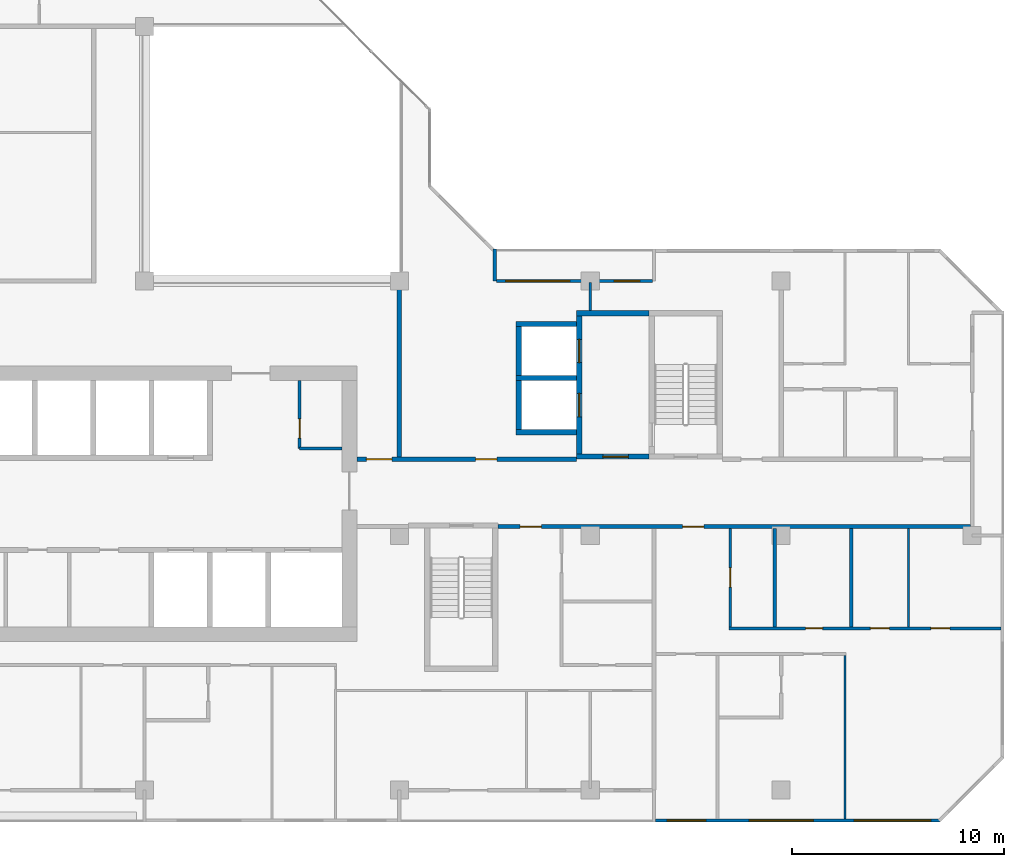
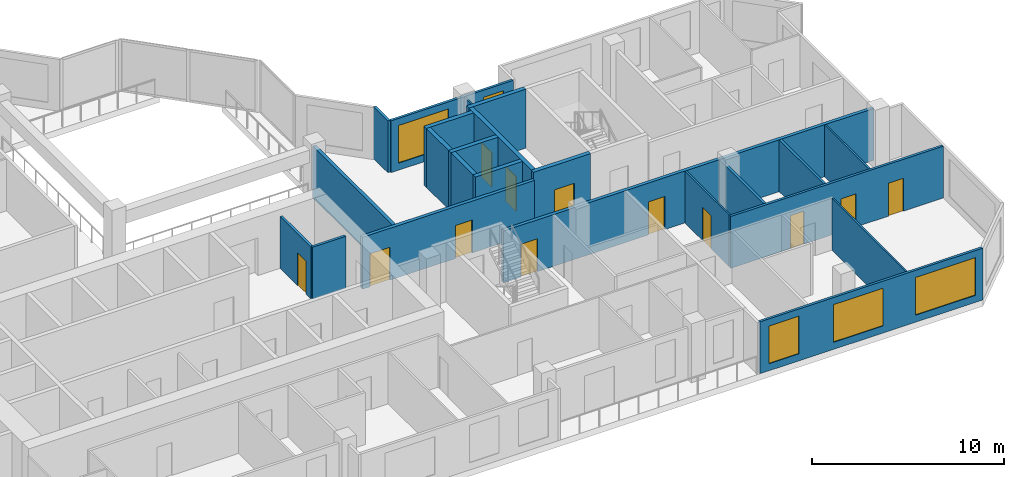
# One storey, part 7 of 15: 23 walls, 12 doors, 5 windows, 17 openings.
"""IFC4 building model written with IfcOpenShell, lengths in metres."""

from ifc_helpers import new_model, si_unit, direction, frame, frame_2d, origin, place, context, subcontext, project, spatial, rectangle, extrude, material, layer, layer_set, type_object, element, fill, save


model = new_model("IFC4")

# Units and contexts
model_context = context("Model", 3, precision=1e-05, world=origin(), true_north=direction((0.0, 1.0)))
body_context = subcontext(model_context, "Body", "Model", "MODEL_VIEW")
ifc_project = project(units=[si_unit("LENGTHUNIT", "METRE"), si_unit("AREAUNIT", "SQUARE_METRE"), si_unit("VOLUMEUNIT", "CUBIC_METRE"), si_unit("PLANEANGLEUNIT", "RADIAN"), si_unit("MASSUNIT", "GRAM", prefix="KILO")], contexts=[model_context])

# Site, building, storey
site_placement = place(None, origin())
site = spatial("IfcSite", under=ifc_project, at=site_placement, CompositionType="ELEMENT")
building_placement = place(site_placement, origin())
building = spatial("IfcBuilding", under=site, at=building_placement, Name="Chenar Terraces", CompositionType="ELEMENT")
storey_placement = place(building_placement, frame((0.0, 0.0, 252.89990234375)))
storey = spatial("IfcBuildingStorey", under=building, at=storey_placement, Name="L60", CompositionType="ELEMENT", Elevation=252.89990234375)

# Wall, opening, door
ifc_material_1 = material(Name="Gypsum board on steel studs", Category="steel")
ifc_layer_1 = layer(ifc_material_1, 0.14990234375)
ifc_layer_set_1 = layer_set([ifc_layer_1], Name="Gypsum board on steel studs")
wall_type_1 = type_object("IfcWallType", Name="Core partition 150 gypsum board", PredefinedType="PARTITIONING", material=ifc_layer_set_1)
wall_1_placement = place(storey_placement, frame((31.300048828125, 16.10009765625, 0.0), z_axis=(0.0, 0.0, 1.0), x_axis=(0.0, 1.0, 0.0)))
wall_1 = element("IfcWall", 1, at=wall_1_placement, inside=storey, type_object=wall_type_1, Name="Core partition CP1 vestibule room west wall", PredefinedType="PARTITIONING", context=body_context, shape_type="SweptSolid", body=[
    extrude(rectangle(XDim=3.199951171875, YDim=0.14990234375, at=frame_2d((1.60009765625, 0.0))), origin(), (0.0, 0.0, 1.0), 3.300048828125),
])
opening_1_placement = place(wall_1_placement, frame((0.5, 0.0, 0.0)))
opening_1 = element("IfcOpeningElement", 2, at=opening_1_placement, cuts=wall_1, Name="Opening DL60-C15", PredefinedType="OPENING", context=body_context, shape_type="SweptSolid", body=[
    extrude(rectangle(XDim=0.89990234375, YDim=2.10009765625, at=frame_2d((0.449951171875, 1.050048828125))), frame((0.0, 0.0849609375, 0.0), z_axis=(0.0, -1.0, 0.0), x_axis=(1.0, 0.0, 0.0)), (0.0, 0.0, 1.0), 0.169921875),
])
ifc_material_2 = material(Name="Steel-framed fire-resisting door leaf", Category="steel")
door_type_1 = type_object("IfcDoorType", Name="Riser fire door FD60 900 x 2100", OperationType="SINGLE_SWING_LEFT", PredefinedType="DOOR", material=ifc_material_2)
door_1_placement = place(opening_1_placement, frame((0.89990234375, 0.0, 0.0), z_axis=(0.0, 0.0, 1.0), x_axis=(-1.0, 0.0, 0.0)))
door_1 = element("IfcDoor", 3, at=door_1_placement, inside=storey, type_object=door_type_1, Name="Core room door DL60-C15", OperationType="SINGLE_SWING_RIGHT", OverallHeight=2.10009765625, OverallWidth=0.89990234375, PredefinedType="DOOR", context=body_context, shape_type="SweptSolid", body=[
    extrude(rectangle(XDim=0.89990234375, YDim=2.10009765625, at=frame_2d((0.449951171875, 1.050048828125))), frame((0.0, 0.02490234375, 0.0), z_axis=(0.0, -1.0, 0.0), x_axis=(1.0, 0.0, 0.0)), (0.0, 0.0, 1.0), 0.050048828125),
])
fill(opening_1, door_1)

# Wall
wall_2_placement = place(storey_placement, frame((31.300048828125, 16.10009765625, 0.0), z_axis=(0.0, 0.0, 1.0), x_axis=(1.0, 0.0, 0.0)))
element("IfcWall", 4, at=wall_2_placement, inside=storey, type_object=wall_type_1, Name="Core partition CP1 vestibule room south wall", PredefinedType="PARTITIONING", context=body_context, shape_type="SweptSolid", body=[
    extrude(rectangle(XDim=2.0, YDim=0.14990234375, at=frame_2d((1.0, 0.0))), origin(), (0.0, 0.0, 1.0), 3.300048828125),
])

# Wall, opening, door
ifc_material_3 = material(Name="Concrete C60/75", Category="concrete")
ifc_layer_2 = layer(ifc_material_3, 0.25)
ifc_layer_set_2 = layer_set([ifc_layer_2], Name="Concrete C60/75")
wall_type_2 = type_object("IfcWallType", Name="Core wall 250 Concrete C60/75", PredefinedType="SHEAR", material=ifc_layer_set_2)
wall_3_placement = place(storey_placement, frame((44.35009765625, 15.72509765625, 0.0), z_axis=(0.0, 0.0, 1.0), x_axis=(1.0, 0.0, 0.0)))
wall_3 = element("IfcWall", 5, at=wall_3_placement, inside=storey, type_object=wall_type_2, Name="Core wall F3_LS L60", PredefinedType="SHEAR", context=body_context, shape_type="SweptSolid", body=[
    extrude(rectangle(XDim=3.4248046875, YDim=0.25, at=frame_2d((1.71240234375, 0.0))), origin(), (0.0, 0.0, 1.0), 3.75),
])
opening_2_placement = place(wall_3_placement, frame((1.25, 0.0, 0.0)))
opening_2 = element("IfcOpeningElement", 6, at=opening_2_placement, cuts=wall_3, Name="Opening DL60-C10", PredefinedType="OPENING", context=body_context, shape_type="SweptSolid", body=[
    extrude(rectangle(XDim=1.199951171875, YDim=2.199951171875, at=frame_2d((0.60009765625, 1.10009765625))), frame((0.0, 0.135009765625, 0.0), z_axis=(0.0, -1.0, 0.0), x_axis=(1.0, 0.0, 0.0)), (0.0, 0.0, 1.0), 0.27001953125),
])
ifc_material_4 = material(Name="Steel-framed fire-resisting door leaf", Category="steel")
door_type_2 = type_object("IfcDoorType", Name="Lobby fire door FD60 1200 x 2200", OperationType="SINGLE_SWING_LEFT", PredefinedType="DOOR", material=ifc_material_4)
door_2_placement = place(opening_2_placement, origin())
door_2 = element("IfcDoor", 7, at=door_2_placement, inside=storey, type_object=door_type_2, Name="Core door DL60-C10", OperationType="SINGLE_SWING_RIGHT", OverallHeight=2.199951171875, OverallWidth=1.199951171875, PredefinedType="DOOR", context=body_context, shape_type="SweptSolid", body=[
    extrude(rectangle(XDim=1.199951171875, YDim=2.199951171875, at=frame_2d((0.60009765625, 1.10009765625))), frame((0.0, 0.02490234375, 0.0), z_axis=(0.0, -1.0, 0.0), x_axis=(1.0, 0.0, 0.0)), (0.0, 0.0, 1.0), 0.050048828125),
])
fill(opening_2, door_2)

# Wall
wall_4_placement = place(storey_placement, frame((44.35009765625, 22.47509765625, 0.0), z_axis=(0.0, 0.0, 1.0), x_axis=(1.0, 0.0, 0.0)))
element("IfcWall", 8, at=wall_4_placement, inside=storey, type_object=wall_type_2, Name="Core wall F3_LN L60", PredefinedType="SHEAR", context=body_context, shape_type="SweptSolid", body=[
    extrude(rectangle(XDim=3.4248046875, YDim=0.25, at=frame_2d((1.71240234375, 0.0))), origin(), (0.0, 0.0, 1.0), 3.75),
])

# Wall, openings, doors
wall_5_placement = place(storey_placement, frame((44.47509765625, 15.85009765625, 0.0), z_axis=(0.0, 0.0, 1.0), x_axis=(0.0, 1.0, 0.0)))
wall_5 = element("IfcWall", 9, at=wall_5_placement, inside=storey, type_object=wall_type_2, Name="Core wall F3_LW L60", PredefinedType="SHEAR", context=body_context, shape_type="SweptSolid", body=[
    extrude(rectangle(XDim=6.5, YDim=0.25, at=frame_2d((3.25, 0.0))), origin(), (0.0, 0.0, 1.0), 3.75),
])
opening_3_placement = place(wall_5_placement, frame((1.75, 0.0, 0.0)))
opening_3 = element("IfcOpeningElement", 10, at=opening_3_placement, cuts=wall_5, Name="Opening DL60-LD8", PredefinedType="OPENING", context=body_context, shape_type="SweptSolid", body=[
    extrude(rectangle(XDim=1.10009765625, YDim=2.199951171875, at=frame_2d((0.550048828125, 1.10009765625))), frame((0.0, 0.135009765625, 0.0), z_axis=(0.0, -1.0, 0.0), x_axis=(1.0, 0.0, 0.0)), (0.0, 0.0, 1.0), 0.27001953125),
])
opening_4_placement = place(wall_5_placement, frame((4.300048828125, 0.0, 0.0)))
opening_4 = element("IfcOpeningElement", 11, at=opening_4_placement, cuts=wall_5, Name="Opening DL60-LD9", PredefinedType="OPENING", context=body_context, shape_type="SweptSolid", body=[
    extrude(rectangle(XDim=1.10009765625, YDim=2.199951171875, at=frame_2d((0.550048828125, 1.10009765625))), frame((0.0, 0.135009765625, 0.0), z_axis=(0.0, -1.0, 0.0), x_axis=(1.0, 0.0, 0.0)), (0.0, 0.0, 1.0), 0.27001953125),
])
ifc_material_5 = material(Name="Stainless steel", Category="steel")
door_type_3 = type_object("IfcDoorType", Name="Lift landing door 1100 x 2200 sliding", OperationType="DOUBLE_DOOR_SLIDING", PredefinedType="DOOR", material=ifc_material_5)
door_3_placement = place(opening_3_placement, origin())
door_3 = element("IfcDoor", 12, at=door_3_placement, inside=storey, type_object=door_type_3, Name="Landing door F3", OperationType="DOUBLE_DOOR_SLIDING", OverallHeight=2.199951171875, OverallWidth=1.10009765625, PredefinedType="DOOR", context=body_context, shape_type="SweptSolid", body=[
    extrude(rectangle(XDim=1.10009765625, YDim=2.199951171875, at=frame_2d((0.550048828125, 1.10009765625))), frame((0.0, 0.02490234375, 0.0), z_axis=(0.0, -1.0, 0.0), x_axis=(1.0, 0.0, 0.0)), (0.0, 0.0, 1.0), 0.050048828125),
])
fill(opening_3, door_3)
door_4_placement = place(opening_4_placement, origin())
door_4 = element("IfcDoor", 13, at=door_4_placement, inside=storey, type_object=door_type_3, Name="Landing door F4", OperationType="DOUBLE_DOOR_SLIDING", OverallHeight=2.199951171875, OverallWidth=1.10009765625, PredefinedType="DOOR", context=body_context, shape_type="SweptSolid", body=[
    extrude(rectangle(XDim=1.10009765625, YDim=2.199951171875, at=frame_2d((0.550048828125, 1.10009765625))), frame((0.0, 0.02490234375, 0.0), z_axis=(0.0, -1.0, 0.0), x_axis=(1.0, 0.0, 0.0)), (0.0, 0.0, 1.0), 0.050048828125),
])
fill(opening_4, door_4)

# Walls
for number, where, z_axis, x_axis, name in (
    (14, (41.5, 16.875, 0.0), (0.0, 0.0, 1.0), (1.0, 0.0, 0.0), "Core wall F3_SS L60"),
    (15, (41.5, 19.425048828125, 0.0), (0.0, 0.0, 1.0), (1.0, 0.0, 0.0), "Core wall F3_SM L60"),
    (16, (41.5, 21.97509765625, 0.0), (0.0, 0.0, 1.0), (1.0, 0.0, 0.0), "Core wall F4_SN L60"),
):
    element("IfcWall", number, at=place(storey_placement, frame(where, z_axis=z_axis, x_axis=x_axis)), inside=storey, type_object=wall_type_2, Name=name, PredefinedType="SHEAR", context=body_context, shape_type="SweptSolid", body=[
        extrude(rectangle(XDim=2.85009765625, YDim=0.25, at=frame_2d((1.425048828125, 0.0))), origin(), (0.0, 0.0, 1.0), 3.75),
    ])
for number, where, z_axis, x_axis, name in (
    (17, (41.625, 17.0, 0.0), (0.0, 0.0, 1.0), (0.0, 1.0, 0.0), "Core wall F3_SW L60"),
    (18, (41.625, 19.550048828125, 0.0), (0.0, 0.0, 1.0), (0.0, 1.0, 0.0), "Core wall F4_SW L60"),
):
    element("IfcWall", number, at=place(storey_placement, frame(where, z_axis=z_axis, x_axis=x_axis)), inside=storey, type_object=wall_type_2, Name=name, PredefinedType="SHEAR", context=body_context, shape_type="SweptSolid", body=[
        extrude(rectangle(XDim=2.300048828125, YDim=0.25, at=frame_2d((1.14990234375, 0.0))), origin(), (0.0, 0.0, 1.0), 3.75),
    ])

# Wall, openings, doors
ifc_material_6 = material(Name="Gypsum board on steel studs with fire boards", Category="steel")
ifc_layer_3 = layer(ifc_material_6, 0.199951171875)
ifc_layer_set_3 = layer_set([ifc_layer_3], Name="Gypsum board on steel studs with fire boards")
wall_type_3 = type_object("IfcWallType", Name="Corridor wall 200", PredefinedType="PARTITIONING", material=ifc_layer_set_3)
wall_6_placement = place(storey_placement, frame((34.0, 15.60009765625, 0.0), z_axis=(0.0, 0.0, 1.0), x_axis=(1.0, 0.0, 0.0)))
wall_6 = element("IfcWall", 19, at=wall_6_placement, inside=storey, type_object=wall_type_3, Name="Partition L60-065", PredefinedType="PARTITIONING", context=body_context, shape_type="SweptSolid", body=[
    extrude(rectangle(XDim=10.35009765625, YDim=0.199951171875, at=frame_2d((5.175048828125, 0.0))), origin(), (0.0, 0.0, 1.0), 3.300048828125),
])
opening_5_placement = place(wall_6_placement, frame((5.60009765625, 0.0, 0.0)))
opening_5 = element("IfcOpeningElement", 20, at=opening_5_placement, cuts=wall_6, Name="Opening DL60-3", PredefinedType="OPENING", context=body_context, shape_type="SweptSolid", body=[
    extrude(rectangle(XDim=1.0, YDim=2.10009765625, at=frame_2d((0.5, 1.050048828125))), frame((0.0, 0.10986328125, 0.0), z_axis=(0.0, -1.0, 0.0), x_axis=(1.0, 0.0, 0.0)), (0.0, 0.0, 1.0), 0.219970703125),
])
opening_6_placement = place(wall_6_placement, frame((0.449951171875, 0.0, 0.0)))
opening_6 = element("IfcOpeningElement", 21, at=opening_6_placement, cuts=wall_6, Name="Opening DL60-41", PredefinedType="OPENING", context=body_context, shape_type="SweptSolid", body=[
    extrude(rectangle(XDim=1.199951171875, YDim=2.10009765625, at=frame_2d((0.60009765625, 1.050048828125))), frame((0.0, 0.10986328125, 0.0), z_axis=(0.0, -1.0, 0.0), x_axis=(1.0, 0.0, 0.0)), (0.0, 0.0, 1.0), 0.219970703125),
])
ifc_material_7 = material(Name="Steel-framed fire-resisting door leaf", Category="steel")
door_type_4 = type_object("IfcDoorType", Name="Fire door FD60 1000 x 2100", OperationType="SINGLE_SWING_LEFT", PredefinedType="DOOR", material=ifc_material_7)
door_5_placement = place(opening_5_placement, origin())
door_5 = element("IfcDoor", 22, at=door_5_placement, inside=storey, type_object=door_type_4, Name="Door DL60-3", OperationType="SINGLE_SWING_RIGHT", OverallHeight=2.10009765625, OverallWidth=1.0, PredefinedType="DOOR", context=body_context, shape_type="SweptSolid", body=[
    extrude(rectangle(XDim=1.0, YDim=2.10009765625, at=frame_2d((0.5, 1.050048828125))), frame((0.0, 0.02490234375, 0.0), z_axis=(0.0, -1.0, 0.0), x_axis=(1.0, 0.0, 0.0)), (0.0, 0.0, 1.0), 0.050048828125),
])
fill(opening_5, door_5)
ifc_material_8 = material(Name="Steel-framed fire-resisting door leaf", Category="steel")
door_type_5 = type_object("IfcDoorType", Name="Fire door FD60 1200 x 2100", OperationType="SINGLE_SWING_LEFT", PredefinedType="DOOR", material=ifc_material_8)
door_6_placement = place(opening_6_placement, origin())
door_6 = element("IfcDoor", 23, at=door_6_placement, inside=storey, type_object=door_type_5, Name="Door DL60-41", OperationType="SINGLE_SWING_RIGHT", OverallHeight=2.10009765625, OverallWidth=1.199951171875, PredefinedType="DOOR", context=body_context, shape_type="SweptSolid", body=[
    extrude(rectangle(XDim=1.199951171875, YDim=2.10009765625, at=frame_2d((0.60009765625, 1.050048828125))), frame((0.0, 0.02490234375, 0.0), z_axis=(0.0, -1.0, 0.0), x_axis=(1.0, 0.0, 0.0)), (0.0, 0.0, 1.0), 0.050048828125),
])
fill(opening_6, door_6)

# Wall
wall_7_placement = place(storey_placement, frame((36.0, 15.699951171875, 0.0), z_axis=(0.0, 0.0, 1.0), x_axis=(0.0, 1.0, 0.0)))
element("IfcWall", 24, at=wall_7_placement, inside=storey, type_object=wall_type_3, Name="Partition L60-066", PredefinedType="PARTITIONING", context=body_context, shape_type="SweptSolid", body=[
    extrude(rectangle(XDim=8.300048828125, YDim=0.199951171875, at=frame_2d((4.14990234375, 0.0))), origin(), (0.0, 0.0, 1.0), 3.300048828125),
])

# Wall, openings, doors
wall_8_placement = place(storey_placement, frame((40.64990234375, 12.425048828125, 0.0), z_axis=(0.0, 0.0, 1.0), x_axis=(1.0, 0.0, 0.0)))
wall_8 = element("IfcWall", 25, at=wall_8_placement, inside=storey, type_object=wall_type_3, Name="Partition L60-067", PredefinedType="PARTITIONING", context=body_context, shape_type="SweptSolid", body=[
    extrude(rectangle(XDim=22.276123046875, YDim=0.199951171875, at=frame_2d((11.13818359375, 0.0))), origin(), (0.0, 0.0, 1.0), 3.300048828125),
])
opening_7_placement = place(wall_8_placement, frame((8.699951171875, 0.0, 0.0)))
opening_7 = element("IfcOpeningElement", 26, at=opening_7_placement, cuts=wall_8, Name="Opening DL60-14", PredefinedType="OPENING", context=body_context, shape_type="SweptSolid", body=[
    extrude(rectangle(XDim=1.0, YDim=2.10009765625, at=frame_2d((0.5, 1.050048828125))), frame((0.0, 0.10986328125, 0.0), z_axis=(0.0, -1.0, 0.0), x_axis=(1.0, 0.0, 0.0)), (0.0, 0.0, 1.0), 0.219970703125),
])
opening_8_placement = place(wall_8_placement, frame((1.050048828125, 0.0, 0.0)))
opening_8 = element("IfcOpeningElement", 27, at=opening_8_placement, cuts=wall_8, Name="Opening DL60-56", PredefinedType="OPENING", context=body_context, shape_type="SweptSolid", body=[
    extrude(rectangle(XDim=1.0, YDim=2.10009765625, at=frame_2d((0.5, 1.050048828125))), frame((0.0, 0.10986328125, 0.0), z_axis=(0.0, -1.0, 0.0), x_axis=(1.0, 0.0, 0.0)), (0.0, 0.0, 1.0), 0.219970703125),
])
ifc_material_9 = material(Name="Steel-framed fire-resisting door leaf", Category="steel")
door_type_6 = type_object("IfcDoorType", Name="Fire door FD30S 1000 x 2100", OperationType="SINGLE_SWING_LEFT", PredefinedType="DOOR", material=ifc_material_9)
door_7_placement = place(opening_7_placement, frame((1.0, 0.0, 0.0), z_axis=(0.0, 0.0, 1.0), x_axis=(-1.0, 0.0, 0.0)))
door_7 = element("IfcDoor", 28, at=door_7_placement, inside=storey, type_object=door_type_6, Name="Door DL60-14", OperationType="SINGLE_SWING_RIGHT", OverallHeight=2.10009765625, OverallWidth=1.0, PredefinedType="DOOR", context=body_context, shape_type="SweptSolid", body=[
    extrude(rectangle(XDim=1.0, YDim=2.10009765625, at=frame_2d((0.5, 1.050048828125))), frame((0.0, 0.02490234375, 0.0), z_axis=(0.0, -1.0, 0.0), x_axis=(1.0, 0.0, 0.0)), (0.0, 0.0, 1.0), 0.050048828125),
])
fill(opening_7, door_7)
door_8_placement = place(opening_8_placement, origin())
door_8 = element("IfcDoor", 29, at=door_8_placement, inside=storey, type_object=door_type_6, Name="Door DL60-56", OperationType="SINGLE_SWING_LEFT", OverallHeight=2.10009765625, OverallWidth=1.0, PredefinedType="DOOR", context=body_context, shape_type="SweptSolid", body=[
    extrude(rectangle(XDim=1.0, YDim=2.10009765625, at=frame_2d((0.5, 1.050048828125))), frame((0.0, 0.02490234375, 0.0), z_axis=(0.0, -1.0, 0.0), x_axis=(1.0, 0.0, 0.0)), (0.0, 0.0, 1.0), 0.050048828125),
])
fill(opening_8, door_8)

# Wall, openings, windows
ifc_material_10 = material(Name="Aluminium framed glazing", Category="aluminium")
ifc_layer_4 = layer(ifc_material_10, 0.14990234375)
ifc_layer_set_4 = layer_set([ifc_layer_4], Name="Aluminium framed glazing")
wall_type_4 = type_object("IfcWallType", Name="Glazed flush facade wall 150", PredefinedType="SOLIDWALL", material=ifc_layer_set_4)
wall_9_placement = place(storey_placement, frame((48.074951171875, -1.425048828125, 0.0), z_axis=(0.0, 0.0, 1.0), x_axis=(1.0, 0.0, 0.0)))
wall_9 = element("IfcWall", 30, at=wall_9_placement, inside=storey, type_object=wall_type_4, Name="Glazed flush facade wall", PredefinedType="SOLIDWALL", context=body_context, shape_type="SweptSolid", body=[
    extrude(rectangle(XDim=13.425048828125, YDim=0.14990234375, at=frame_2d((6.71240234375, 0.0))), origin(), (0.0, 0.0, 1.0), 3.300048828125),
])
opening_9_placement = place(wall_9_placement, frame((0.5625, 0.0, 0.449951171875)))
opening_9 = element("IfcOpeningElement", 31, at=opening_9_placement, cuts=wall_9, Name="Opening W180x240", PredefinedType="OPENING", context=body_context, shape_type="SweptSolid", body=[
    extrude(rectangle(XDim=1.800048828125, YDim=2.39990234375, at=frame_2d((0.89990234375, 1.199951171875))), frame((0.0, 0.0849609375, 0.0), z_axis=(0.0, -1.0, 0.0), x_axis=(1.0, 0.0, 0.0)), (0.0, 0.0, 1.0), 0.169921875),
])
opening_10_placement = place(wall_9_placement, frame((4.425048828125, 0.0, 0.449951171875)))
opening_10 = element("IfcOpeningElement", 32, at=opening_10_placement, cuts=wall_9, Name="Opening W300x240", PredefinedType="OPENING", context=body_context, shape_type="SweptSolid", body=[
    extrude(rectangle(XDim=3.0, YDim=2.39990234375, at=frame_2d((1.5, 1.199951171875))), frame((0.0, 0.0849609375, 0.0), z_axis=(0.0, -1.0, 0.0), x_axis=(1.0, 0.0, 0.0)), (0.0, 0.0, 1.0), 0.169921875),
])
opening_11_placement = place(wall_9_placement, frame((9.375, 0.0, 0.449951171875)))
opening_11 = element("IfcOpeningElement", 33, at=opening_11_placement, cuts=wall_9, Name="Opening W360x240", PredefinedType="OPENING", context=body_context, shape_type="SweptSolid", body=[
    extrude(rectangle(XDim=3.60009765625, YDim=2.39990234375, at=frame_2d((1.800048828125, 1.199951171875))), frame((0.0, 0.0849609375, 0.0), z_axis=(0.0, -1.0, 0.0), x_axis=(1.0, 0.0, 0.0)), (0.0, 0.0, 1.0), 0.169921875),
])
ifc_material_11 = material(Name="Low emissivity double glazing, aluminium frame", Category="aluminium")
window_type_1 = type_object("IfcWindowType", Name="Fixed light 1800 x 2400", PartitioningType="SINGLE_PANEL", PredefinedType="WINDOW", material=ifc_material_11)
window_1_placement = place(opening_9_placement, origin())
window_1 = element("IfcWindow", 34, at=window_1_placement, inside=storey, type_object=window_type_1, Name="Window", OverallHeight=2.39990234375, OverallWidth=1.800048828125, PartitioningType="SINGLE_PANEL", PredefinedType="WINDOW", context=body_context, shape_type="SweptSolid", body=[
    extrude(rectangle(XDim=1.800048828125, YDim=2.39990234375, at=frame_2d((0.89990234375, 1.199951171875))), frame((0.0, 0.030029296875, 0.0), z_axis=(0.0, -1.0, 0.0), x_axis=(1.0, 0.0, 0.0)), (0.0, 0.0, 1.0), 0.06005859375),
])
fill(opening_9, window_1)
ifc_material_12 = material(Name="Low emissivity double glazing, aluminium frame", Category="aluminium")
window_type_2 = type_object("IfcWindowType", Name="Fixed light 3000 x 2400", PartitioningType="SINGLE_PANEL", PredefinedType="WINDOW", material=ifc_material_12)
window_2_placement = place(opening_10_placement, origin())
window_2 = element("IfcWindow", 35, at=window_2_placement, inside=storey, type_object=window_type_2, Name="Window", OverallHeight=2.39990234375, OverallWidth=3.0, PartitioningType="SINGLE_PANEL", PredefinedType="WINDOW", context=body_context, shape_type="SweptSolid", body=[
    extrude(rectangle(XDim=3.0, YDim=2.39990234375, at=frame_2d((1.5, 1.199951171875))), frame((0.0, 0.030029296875, 0.0), z_axis=(0.0, -1.0, 0.0), x_axis=(1.0, 0.0, 0.0)), (0.0, 0.0, 1.0), 0.06005859375),
])
fill(opening_10, window_2)
ifc_material_13 = material(Name="Low emissivity double glazing, aluminium frame", Category="aluminium")
window_type_3 = type_object("IfcWindowType", Name="Fixed light 3600 x 2400", PartitioningType="SINGLE_PANEL", PredefinedType="WINDOW", material=ifc_material_13)
window_3_placement = place(opening_11_placement, origin())
window_3 = element("IfcWindow", 36, at=window_3_placement, inside=storey, type_object=window_type_3, Name="Window", OverallHeight=2.39990234375, OverallWidth=3.60009765625, PartitioningType="SINGLE_PANEL", PredefinedType="WINDOW", context=body_context, shape_type="SweptSolid", body=[
    extrude(rectangle(XDim=3.60009765625, YDim=2.39990234375, at=frame_2d((1.800048828125, 1.199951171875))), frame((0.0, 0.030029296875, 0.0), z_axis=(0.0, -1.0, 0.0), x_axis=(1.0, 0.0, 0.0)), (0.0, 0.0, 1.0), 0.06005859375),
])
fill(opening_11, window_3)

ifc_material_14 = material(Name="Aluminium framed glazing", Category="aluminium")
ifc_layer_5 = layer(ifc_material_14, 0.14990234375)
ifc_layer_set_5 = layer_set([ifc_layer_5], Name="Aluminium framed glazing")
wall_type_5 = type_object("IfcWallType", Name="Glazed loggia back wall 150", PredefinedType="SOLIDWALL", material=ifc_layer_set_5)
wall_10_placement = place(storey_placement, frame((47.925048828125, 24.0, 0.0), z_axis=(0.0, 0.0, 1.0), x_axis=(-1.0, 0.0, 0.0)))
wall_10 = element("IfcWall", 37, at=wall_10_placement, inside=storey, type_object=wall_type_5, Name="Glazed loggia back wall", PredefinedType="SOLIDWALL", context=body_context, shape_type="SweptSolid", body=[
    extrude(rectangle(XDim=7.35009765625, YDim=0.14990234375, at=frame_2d((3.675048828125, 0.0))), origin(), (0.0, 0.0, 1.0), 3.300048828125),
])
opening_12_placement = place(wall_10_placement, frame((0.60009765625, 0.0, 0.449951171875)))
opening_12 = element("IfcOpeningElement", 38, at=opening_12_placement, cuts=wall_10, Name="Opening W120x240", PredefinedType="OPENING", context=body_context, shape_type="SweptSolid", body=[
    extrude(rectangle(XDim=1.199951171875, YDim=2.39990234375, at=frame_2d((0.60009765625, 1.199951171875))), frame((0.0, 0.0849609375, 0.0), z_axis=(0.0, -1.0, 0.0), x_axis=(1.0, 0.0, 0.0)), (0.0, 0.0, 1.0), 0.169921875),
])
opening_13_placement = place(wall_10_placement, frame((3.89990234375, 0.0, 0.449951171875)))
opening_13 = element("IfcOpeningElement", 39, at=opening_13_placement, cuts=wall_10, Name="Opening W300x240", PredefinedType="OPENING", context=body_context, shape_type="SweptSolid", body=[
    extrude(rectangle(XDim=3.0, YDim=2.39990234375, at=frame_2d((1.5, 1.199951171875))), frame((0.0, 0.0849609375, 0.0), z_axis=(0.0, -1.0, 0.0), x_axis=(1.0, 0.0, 0.0)), (0.0, 0.0, 1.0), 0.169921875),
])
ifc_material_15 = material(Name="Low emissivity double glazing, aluminium frame", Category="aluminium")
window_type_4 = type_object("IfcWindowType", Name="Fixed light 1200 x 2400", PartitioningType="SINGLE_PANEL", PredefinedType="WINDOW", material=ifc_material_15)
window_4_placement = place(opening_12_placement, origin())
window_4 = element("IfcWindow", 40, at=window_4_placement, inside=storey, type_object=window_type_4, Name="Window", OverallHeight=2.39990234375, OverallWidth=1.199951171875, PartitioningType="SINGLE_PANEL", PredefinedType="WINDOW", context=body_context, shape_type="SweptSolid", body=[
    extrude(rectangle(XDim=1.199951171875, YDim=2.39990234375, at=frame_2d((0.60009765625, 1.199951171875))), frame((0.0, 0.030029296875, 0.0), z_axis=(0.0, -1.0, 0.0), x_axis=(1.0, 0.0, 0.0)), (0.0, 0.0, 1.0), 0.06005859375),
])
fill(opening_12, window_4)
window_5_placement = place(opening_13_placement, origin())
window_5 = element("IfcWindow", 41, at=window_5_placement, inside=storey, type_object=window_type_2, Name="Window", OverallHeight=2.39990234375, OverallWidth=3.0, PartitioningType="SINGLE_PANEL", PredefinedType="WINDOW", context=body_context, shape_type="SweptSolid", body=[
    extrude(rectangle(XDim=3.0, YDim=2.39990234375, at=frame_2d((1.5, 1.199951171875))), frame((0.0, 0.030029296875, 0.0), z_axis=(0.0, -1.0, 0.0), x_axis=(1.0, 0.0, 0.0)), (0.0, 0.0, 1.0), 0.06005859375),
])
fill(opening_13, window_5)

# Wall
ifc_material_16 = material(Name="Gypsum board on steel studs", Category="steel")
ifc_layer_6 = layer(ifc_material_16, 0.10009765625)
ifc_layer_set_6 = layer_set([ifc_layer_6], Name="Gypsum board on steel studs")
wall_type_6 = type_object("IfcWallType", Name="Gypsum partition 100", PredefinedType="PARTITIONING", material=ifc_layer_set_6)
wall_11_placement = place(storey_placement, frame((45.0, 22.60009765625, 0.0), z_axis=(0.0, 0.0, 1.0), x_axis=(0.0, 1.0, 0.0)))
element("IfcWall", 42, at=wall_11_placement, inside=storey, type_object=wall_type_6, Name="Partition L60-073", PredefinedType="PARTITIONING", context=body_context, shape_type="SweptSolid", body=[
    extrude(rectangle(XDim=1.325927734375, YDim=0.10009765625, at=frame_2d((0.6630859375, 0.0))), origin(), (0.0, 0.0, 1.0), 3.300048828125),
])

# Wall, opening, door
wall_12_placement = place(storey_placement, frame((51.60009765625, 7.699951171875, 0.0), z_axis=(0.0, 0.0, 1.0), x_axis=(0.0, 1.0, 0.0)))
wall_12 = element("IfcWall", 43, at=wall_12_placement, inside=storey, type_object=wall_type_6, Name="Partition L60-080", PredefinedType="PARTITIONING", context=body_context, shape_type="SweptSolid", body=[
    extrude(rectangle(XDim=4.625, YDim=0.10009765625, at=frame_2d((2.3125, 0.0))), origin(), (0.0, 0.0, 1.0), 3.300048828125),
])
opening_14_placement = place(wall_12_placement, frame((1.875, 0.0, 0.0)))
opening_14 = element("IfcOpeningElement", 44, at=opening_14_placement, cuts=wall_12, Name="Opening DL60-13", PredefinedType="OPENING", context=body_context, shape_type="SweptSolid", body=[
    extrude(rectangle(XDim=0.89990234375, YDim=2.10009765625, at=frame_2d((0.449951171875, 1.050048828125))), frame((0.0, 0.06005859375, 0.0), z_axis=(0.0, -1.0, 0.0), x_axis=(1.0, 0.0, 0.0)), (0.0, 0.0, 1.0), 0.1201171875),
])
ifc_material_17 = material(Name="Veneered timber door leaf", Category="wood")
door_type_7 = type_object("IfcDoorType", Name="Door 900 x 2100", OperationType="SINGLE_SWING_LEFT", PredefinedType="DOOR", material=ifc_material_17)
door_9_placement = place(opening_14_placement, frame((0.89990234375, 0.0, 0.0), z_axis=(0.0, 0.0, 1.0), x_axis=(-1.0, 0.0, 0.0)))
door_9 = element("IfcDoor", 45, at=door_9_placement, inside=storey, type_object=door_type_7, Name="Door DL60-13", OperationType="SINGLE_SWING_RIGHT", OverallHeight=2.10009765625, OverallWidth=0.89990234375, PredefinedType="DOOR", context=body_context, shape_type="SweptSolid", body=[
    extrude(rectangle(XDim=0.89990234375, YDim=2.10009765625, at=frame_2d((0.449951171875, 1.050048828125))), frame((0.0, 0.02490234375, 0.0), z_axis=(0.0, -1.0, 0.0), x_axis=(1.0, 0.0, 0.0)), (0.0, 0.0, 1.0), 0.050048828125),
])
fill(opening_14, door_9)

# Walls
wall_13_placement = place(storey_placement, frame((57.0, -1.35009765625, 0.0), z_axis=(0.0, 0.0, 1.0), x_axis=(0.0, 1.0, 0.0)))
element("IfcWall", 46, at=wall_13_placement, inside=storey, type_object=wall_type_6, Name="Partition L60-086", PredefinedType="PARTITIONING", context=body_context, shape_type="SweptSolid", body=[
    extrude(rectangle(XDim=7.7001953125, YDim=0.10009765625, at=frame_2d((3.85009765625, 0.0))), origin(), (0.0, 0.0, 1.0), 3.300048828125),
])
wall_14_placement = place(storey_placement, frame((60.0, 7.699951171875, 0.0), z_axis=(0.0, 0.0, 1.0), x_axis=(0.0, 1.0, 0.0)))
element("IfcWall", 47, at=wall_14_placement, inside=storey, type_object=wall_type_6, Name="Partition L60-091", PredefinedType="PARTITIONING", context=body_context, shape_type="SweptSolid", body=[
    extrude(rectangle(XDim=4.625, YDim=0.10009765625, at=frame_2d((2.3125, 0.0))), origin(), (0.0, 0.0, 1.0), 3.300048828125),
])
ifc_material_18 = material(Name="Terracotta cladding on insulated backing", Category="masonry")
ifc_layer_7 = layer(ifc_material_18, 0.14990234375)
ifc_layer_set_7 = layer_set([ifc_layer_7], Name="Terracotta cladding on insulated backing")
wall_type_7 = type_object("IfcWallType", Name="Loggia return wall 150", PredefinedType="SOLIDWALL", material=ifc_layer_set_7)
wall_15_placement = place(storey_placement, frame((40.5, 25.5, 0.0), z_axis=(0.0, 0.0, 1.0), x_axis=(0.0, -1.0, 0.0)))
element("IfcWall", 48, at=wall_15_placement, inside=storey, type_object=wall_type_7, Name="Loggia return wall", PredefinedType="SOLIDWALL", context=body_context, shape_type="SweptSolid", body=[
    extrude(rectangle(XDim=1.5, YDim=0.14990234375, at=frame_2d((0.75, 0.0))), origin(), (0.0, 0.0, 1.0), 3.300048828125),
])

# Wall, openings, doors
ifc_material_19 = material(Name="Moisture-resistant gypsum board on steel studs", Category="steel")
ifc_layer_8 = layer(ifc_material_19, 0.14990234375)
ifc_layer_set_8 = layer_set([ifc_layer_8], Name="Moisture-resistant gypsum board on steel studs")
wall_type_8 = type_object("IfcWallType", Name="Wet-room partition 150", PredefinedType="PARTITIONING", material=ifc_layer_set_8)
wall_16_placement = place(storey_placement, frame((51.550048828125, 7.625, 0.0), z_axis=(0.0, 0.0, 1.0), x_axis=(1.0, 0.0, 0.0)))
wall_16 = element("IfcWall", 49, at=wall_16_placement, inside=storey, type_object=wall_type_8, Name="Partition L60-079", PredefinedType="PARTITIONING", context=body_context, shape_type="SweptSolid", body=[
    extrude(rectangle(XDim=12.800048828125, YDim=0.14990234375, at=frame_2d((6.39990234375, 0.0))), origin(), (0.0, 0.0, 1.0), 3.300048828125),
])
opening_15_placement = place(wall_16_placement, frame((3.60009765625, 0.0, 0.0)))
opening_15 = element("IfcOpeningElement", 50, at=opening_15_placement, cuts=wall_16, Name="Opening DL60-9", PredefinedType="OPENING", context=body_context, shape_type="SweptSolid", body=[
    extrude(rectangle(XDim=0.800048828125, YDim=2.10009765625, at=frame_2d((0.39990234375, 1.050048828125))), frame((0.0, 0.0849609375, 0.0), z_axis=(0.0, -1.0, 0.0), x_axis=(1.0, 0.0, 0.0)), (0.0, 0.0, 1.0), 0.169921875),
])
opening_16_placement = place(wall_16_placement, frame((6.64990234375, 0.0, 0.0)))
opening_16 = element("IfcOpeningElement", 51, at=opening_16_placement, cuts=wall_16, Name="Opening DL60-15", PredefinedType="OPENING", context=body_context, shape_type="SweptSolid", body=[
    extrude(rectangle(XDim=0.89990234375, YDim=2.10009765625, at=frame_2d((0.449951171875, 1.050048828125))), frame((0.0, 0.0849609375, 0.0), z_axis=(0.0, -1.0, 0.0), x_axis=(1.0, 0.0, 0.0)), (0.0, 0.0, 1.0), 0.169921875),
])
opening_17_placement = place(wall_16_placement, frame((9.5, 0.0, 0.0)))
opening_17 = element("IfcOpeningElement", 52, at=opening_17_placement, cuts=wall_16, Name="Opening DL60-16", PredefinedType="OPENING", context=body_context, shape_type="SweptSolid", body=[
    extrude(rectangle(XDim=0.89990234375, YDim=2.10009765625, at=frame_2d((0.449951171875, 1.050048828125))), frame((0.0, 0.0849609375, 0.0), z_axis=(0.0, -1.0, 0.0), x_axis=(1.0, 0.0, 0.0)), (0.0, 0.0, 1.0), 0.169921875),
])
ifc_material_20 = material(Name="Veneered timber door leaf", Category="wood")
door_type_8 = type_object("IfcDoorType", Name="Door 800 x 2100", OperationType="SINGLE_SWING_LEFT", PredefinedType="DOOR", material=ifc_material_20)
door_10_placement = place(opening_15_placement, origin())
door_10 = element("IfcDoor", 53, at=door_10_placement, inside=storey, type_object=door_type_8, Name="Door DL60-9", OperationType="SINGLE_SWING_RIGHT", OverallHeight=2.10009765625, OverallWidth=0.800048828125, PredefinedType="DOOR", context=body_context, shape_type="SweptSolid", body=[
    extrude(rectangle(XDim=0.800048828125, YDim=2.10009765625, at=frame_2d((0.39990234375, 1.050048828125))), frame((0.0, 0.02490234375, 0.0), z_axis=(0.0, -1.0, 0.0), x_axis=(1.0, 0.0, 0.0)), (0.0, 0.0, 1.0), 0.050048828125),
])
fill(opening_15, door_10)
door_11_placement = place(opening_16_placement, origin())
door_11 = element("IfcDoor", 54, at=door_11_placement, inside=storey, type_object=door_type_7, Name="Door DL60-15", OperationType="SINGLE_SWING_RIGHT", OverallHeight=2.10009765625, OverallWidth=0.89990234375, PredefinedType="DOOR", context=body_context, shape_type="SweptSolid", body=[
    extrude(rectangle(XDim=0.89990234375, YDim=2.10009765625, at=frame_2d((0.449951171875, 1.050048828125))), frame((0.0, 0.02490234375, 0.0), z_axis=(0.0, -1.0, 0.0), x_axis=(1.0, 0.0, 0.0)), (0.0, 0.0, 1.0), 0.050048828125),
])
fill(opening_16, door_11)
door_12_placement = place(opening_17_placement, origin())
door_12 = element("IfcDoor", 55, at=door_12_placement, inside=storey, type_object=door_type_7, Name="Door DL60-16", OperationType="SINGLE_SWING_LEFT", OverallHeight=2.10009765625, OverallWidth=0.89990234375, PredefinedType="DOOR", context=body_context, shape_type="SweptSolid", body=[
    extrude(rectangle(XDim=0.89990234375, YDim=2.10009765625, at=frame_2d((0.449951171875, 1.050048828125))), frame((0.0, 0.02490234375, 0.0), z_axis=(0.0, -1.0, 0.0), x_axis=(1.0, 0.0, 0.0)), (0.0, 0.0, 1.0), 0.050048828125),
])
fill(opening_17, door_12)

# Walls
for number, where, z_axis, x_axis, name in (
    (56, (53.699951171875, 7.699951171875, 0.0), (0.0, 0.0, 1.0), (0.0, 1.0, 0.0), "Partition L60-081"),
    (57, (57.300048828125, 7.699951171875, 0.0), (0.0, 0.0, 1.0), (0.0, 1.0, 0.0), "Partition L60-089"),
):
    element("IfcWall", number, at=place(storey_placement, frame(where, z_axis=z_axis, x_axis=x_axis)), inside=storey, type_object=wall_type_8, Name=name, PredefinedType="PARTITIONING", context=body_context, shape_type="SweptSolid", body=[
        extrude(rectangle(XDim=4.625, YDim=0.14990234375, at=frame_2d((2.3125, 0.0))), origin(), (0.0, 0.0, 1.0), 3.300048828125),
    ])

save(model, "model.ifc")
